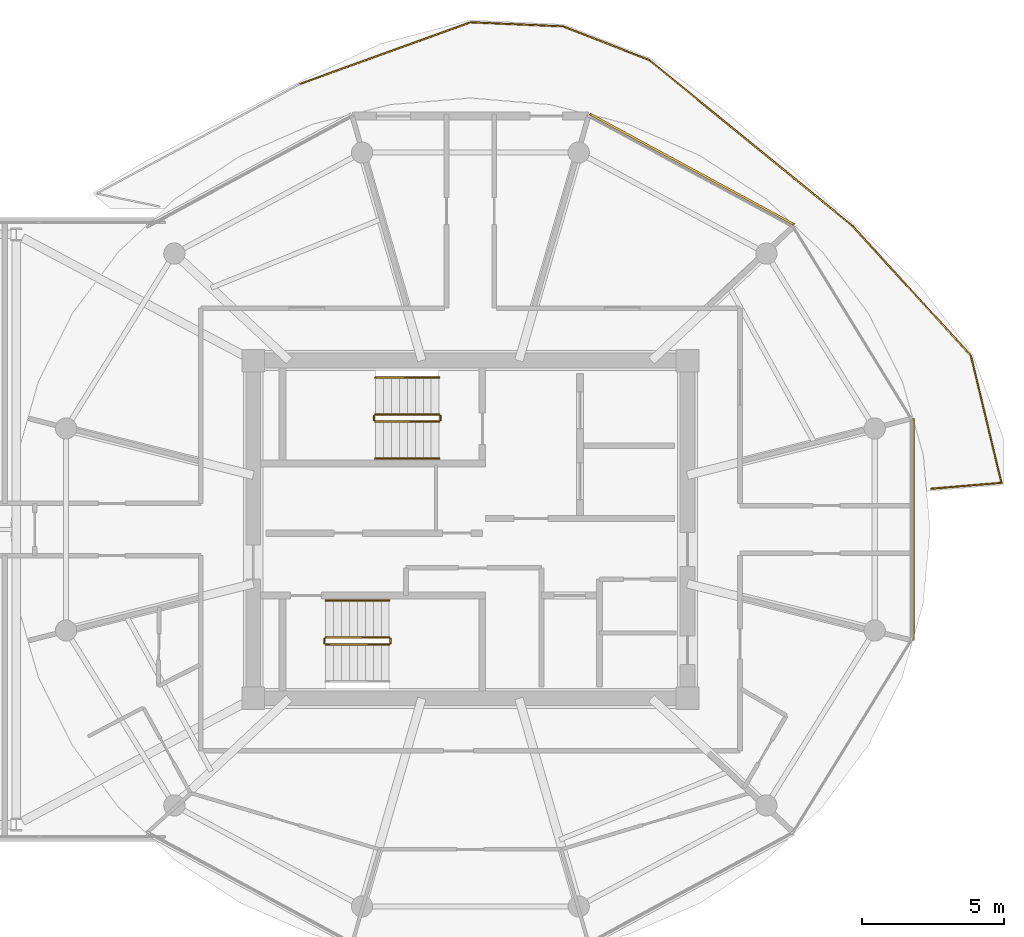
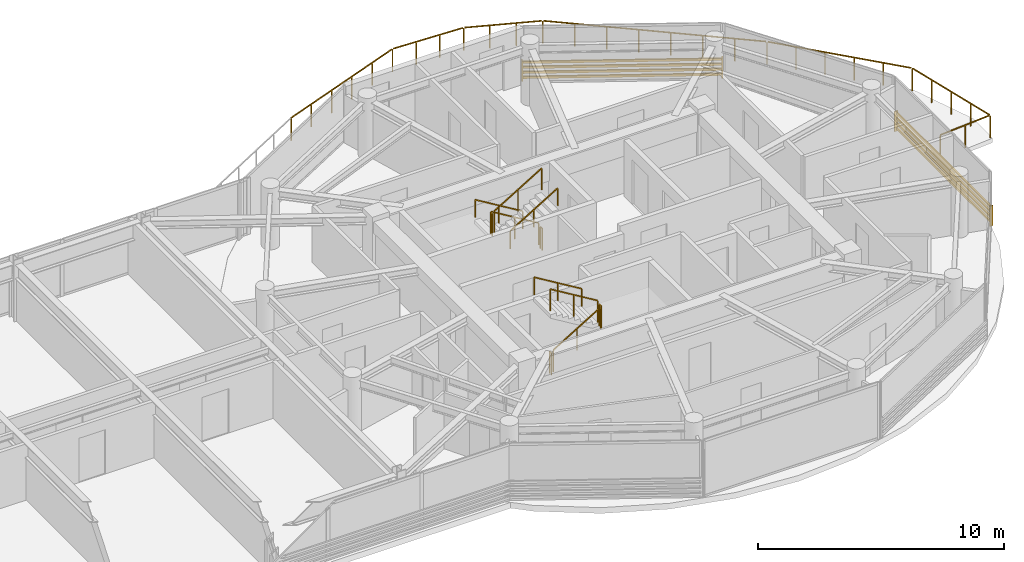
# One storey, part 23 of 23: 12 railings, 2 shading devices.
"""IFC4 building model written with IfcOpenShell, lengths in metres."""

from ifc_helpers import new_model, si_unit, direction, frame, origin, origin_2d, place, context, subcontext, project, spatial, rectangle, extrude, source, transform, mapped, material, type_object, type_shapes, element, save


model = new_model("IFC4")

# Units and contexts
model_context = context("Model", 3, precision=1e-05, world=origin(), true_north=direction((0.0, 1.0)))
body_context = subcontext(model_context, "Body", "Model", "MODEL_VIEW")
ifc_project = project(units=[si_unit("LENGTHUNIT", "METRE"), si_unit("AREAUNIT", "SQUARE_METRE"), si_unit("VOLUMEUNIT", "CUBIC_METRE"), si_unit("PLANEANGLEUNIT", "RADIAN"), si_unit("MASSUNIT", "GRAM", prefix="KILO")], contexts=[model_context])

# Site, building, storey
site_placement = place(None, origin())
site = spatial("IfcSite", under=ifc_project, at=site_placement, CompositionType="ELEMENT")
building_placement = place(site_placement, origin())
building = spatial("IfcBuilding", under=site, at=building_placement, Name="Norrkilde Senior Care Towers", CompositionType="ELEMENT")
storey_placement = place(building_placement, frame((0.0, 0.0, 229.14990234375)))
storey = spatial("IfcBuildingStorey", under=building, at=storey_placement, Name="L71", CompositionType="ELEMENT", Elevation=229.14990234375)

# Railings
ifc_material_1 = material(Name="Anodised Aluminium", Category="aluminium")
railing_type_1 = type_object("IfcRailingType", Name="Balcony Swirl Ribbon Guardrail 1150", PredefinedType="GUARDRAIL", material=ifc_material_1)
railing_1_placement = place(storey_placement, frame((21.98828125, 15.695068359375, 0.0)))
element("IfcRailing", 1, at=railing_1_placement, inside=storey, type_object=railing_type_1, Name="L71 Perimeter Safety Guard 01", PredefinedType="GUARDRAIL", context=body_context, shape_type="SweptSolid", body=[
    extrude(rectangle(XDim=0.048095703125, YDim=0.048095703125, at=origin_2d()), frame((0.0, 0.0, 1.1259765625), z_axis=(0.940427604186, 0.339994001838, 0.0), x_axis=(-0.339994001838, 0.940427604186, 0.0)), (0.0, 0.0, 1.0), 6.36083984375),
    extrude(rectangle(XDim=0.048095703125, YDim=0.048095703125, at=origin_2d()), frame((6.06103515625, 2.1748046875, 1.1259765625), z_axis=(0.999030270285, -0.044028616319, 0.0), x_axis=(0.044028616319, 0.999030270285, 0.0)), (0.0, 0.0, 1.0), 3.1787109375),
    extrude(rectangle(XDim=0.048095703125, YDim=0.048095703125, at=origin_2d()), frame((9.315673828125, 2.01806640625, 1.1259765625), z_axis=(0.931638308406, -0.363386931949, 0.0), x_axis=(0.363386931949, 0.931638308406, 0.0)), (0.0, 0.0, 1.0), 3.174072265625),
    extrude(rectangle(XDim=0.048095703125, YDim=0.048095703125, at=origin_2d()), frame((12.342529296875, 0.823974609375, 1.1259765625), z_axis=(0.774720335038, -0.63230404275, 0.0), x_axis=(0.63230404275, 0.774720335038, 0.0)), (0.0, 0.0, 1.0), 9.163330078125),
    extrude(rectangle(XDim=0.048095703125, YDim=0.048095703125, at=origin_2d()), frame((19.500732421875, -5.026123046875, 1.1259765625), z_axis=(0.673860835028, -0.738858291565, 0.0), x_axis=(0.738858291565, 0.673860835028, 0.0)), (0.0, 0.0, 1.0), 6.112060546875),
    extrude(rectangle(XDim=0.048095703125, YDim=0.048095703125, at=origin_2d()), frame((23.656494140625, -9.612060546875, 1.1259765625), z_axis=(0.233659569972, -0.972318469104, 0.0), x_axis=(0.972318469104, 0.233659569972, 0.0)), (0.0, 0.0, 1.0), 4.52490234375),
    extrude(rectangle(XDim=0.048095703125, YDim=0.048095703125, at=origin_2d()), frame((24.6826171875, -14.054931640625, 1.1259765625), z_axis=(-0.996532130282, -0.083208853588, 0.0), x_axis=(0.083208853588, -0.996532130282, 0.0)), (0.0, 0.0, 1.0), 2.4326171875),
    extrude(rectangle(XDim=0.0419921875, YDim=0.0419921875, at=origin_2d()), origin(), (0.0, 0.0, 1.0), 1.099853515625),
    extrude(rectangle(XDim=0.0419921875, YDim=0.0419921875, at=origin_2d()), frame((1.2041015625, 0.435302734375, 0.0)), (0.0, 0.0, 1.0), 1.099853515625),
    extrude(rectangle(XDim=0.0419921875, YDim=0.0419921875, at=origin_2d()), frame((2.408203125, 0.87060546875, 0.0)), (0.0, 0.0, 1.0), 1.099853515625),
    extrude(rectangle(XDim=0.0419921875, YDim=0.0419921875, at=origin_2d()), frame((3.612060546875, 1.305908203125, 0.0)), (0.0, 0.0, 1.0), 1.099853515625),
    extrude(rectangle(XDim=0.0419921875, YDim=0.0419921875, at=origin_2d()), frame((4.816162109375, 1.7412109375, 0.0)), (0.0, 0.0, 1.0), 1.099853515625),
    extrude(rectangle(XDim=0.0419921875, YDim=0.0419921875, at=origin_2d()), frame((6.020263671875, 2.176513671875, 0.0)), (0.0, 0.0, 1.0), 1.099853515625),
    extrude(rectangle(XDim=0.0419921875, YDim=0.0419921875, at=origin_2d()), frame((7.10595703125, 2.128662109375, 0.0)), (0.0, 0.0, 1.0), 1.099853515625),
    extrude(rectangle(XDim=0.0419921875, YDim=0.0419921875, at=origin_2d()), frame((8.19189453125, 2.080810546875, 0.0)), (0.0, 0.0, 1.0), 1.099853515625),
    extrude(rectangle(XDim=0.0419921875, YDim=0.0419921875, at=origin_2d()), frame((9.277587890625, 2.032958984375, 0.0)), (0.0, 0.0, 1.0), 1.099853515625),
    extrude(rectangle(XDim=0.0419921875, YDim=0.0419921875, at=origin_2d()), frame((10.28857421875, 1.638671875, 0.0)), (0.0, 0.0, 1.0), 1.099853515625),
    extrude(rectangle(XDim=0.0419921875, YDim=0.0419921875, at=origin_2d()), frame((11.2998046875, 1.244140625, 0.0)), (0.0, 0.0, 1.0), 1.099853515625),
    extrude(rectangle(XDim=0.0419921875, YDim=0.0419921875, at=origin_2d()), frame((12.310791015625, 0.849853515625, 0.0)), (0.0, 0.0, 1.0), 1.099853515625),
    extrude(rectangle(XDim=0.0419921875, YDim=0.0419921875, at=origin_2d()), frame((13.333984375, 0.0146484375, 0.0)), (0.0, 0.0, 1.0), 1.099853515625),
    extrude(rectangle(XDim=0.0419921875, YDim=0.0419921875, at=origin_2d()), frame((14.357177734375, -0.8203125, 0.0)), (0.0, 0.0, 1.0), 1.099853515625),
    extrude(rectangle(XDim=0.0419921875, YDim=0.0419921875, at=origin_2d()), frame((15.38037109375, -1.655517578125, 0.0)), (0.0, 0.0, 1.0), 1.099853515625),
    extrude(rectangle(XDim=0.0419921875, YDim=0.0419921875, at=origin_2d()), frame((16.403564453125, -2.490478515625, 0.0)), (0.0, 0.0, 1.0), 1.099853515625),
    extrude(rectangle(XDim=0.0419921875, YDim=0.0419921875, at=origin_2d()), frame((17.4267578125, -3.32568359375, 0.0)), (0.0, 0.0, 1.0), 1.099853515625),
    extrude(rectangle(XDim=0.0419921875, YDim=0.0419921875, at=origin_2d()), frame((18.449951171875, -4.16064453125, 0.0)), (0.0, 0.0, 1.0), 1.099853515625),
    extrude(rectangle(XDim=0.0419921875, YDim=0.0419921875, at=origin_2d()), frame((19.47314453125, -4.995849609375, 0.0)), (0.0, 0.0, 1.0), 1.099853515625),
    extrude(rectangle(XDim=0.0419921875, YDim=0.0419921875, at=origin_2d()), frame((20.307861328125, -5.9111328125, 0.0)), (0.0, 0.0, 1.0), 1.099853515625),
    extrude(rectangle(XDim=0.0419921875, YDim=0.0419921875, at=origin_2d()), frame((21.142578125, -6.826416015625, 0.0)), (0.0, 0.0, 1.0), 1.099853515625),
    extrude(rectangle(XDim=0.0419921875, YDim=0.0419921875, at=origin_2d()), frame((21.9775390625, -7.74169921875, 0.0)), (0.0, 0.0, 1.0), 1.099853515625),
    extrude(rectangle(XDim=0.0419921875, YDim=0.0419921875, at=origin_2d()), frame((22.812255859375, -8.656982421875, 0.0)), (0.0, 0.0, 1.0), 1.099853515625),
    extrude(rectangle(XDim=0.0419921875, YDim=0.0419921875, at=origin_2d()), frame((23.64697265625, -9.572265625, 0.0)), (0.0, 0.0, 1.0), 1.099853515625),
    extrude(rectangle(XDim=0.0419921875, YDim=0.0419921875, at=origin_2d()), frame((23.916015625, -10.692138671875, 0.0)), (0.0, 0.0, 1.0), 1.099853515625),
    extrude(rectangle(XDim=0.0419921875, YDim=0.0419921875, at=origin_2d()), frame((24.18505859375, -11.81201171875, 0.0)), (0.0, 0.0, 1.0), 1.099853515625),
    extrude(rectangle(XDim=0.0419921875, YDim=0.0419921875, at=origin_2d()), frame((24.454345703125, -12.931640625, 0.0)), (0.0, 0.0, 1.0), 1.099853515625),
    extrude(rectangle(XDim=0.0419921875, YDim=0.0419921875, at=origin_2d()), frame((24.723388671875, -14.051513671875, 0.0)), (0.0, 0.0, 1.0), 1.099853515625),
    extrude(rectangle(XDim=0.0419921875, YDim=0.0419921875, at=origin_2d()), frame((23.490966796875, -14.154296875, 0.0)), (0.0, 0.0, 1.0), 1.099853515625),
    extrude(rectangle(XDim=0.0419921875, YDim=0.0419921875, at=origin_2d()), frame((22.258544921875, -14.25732421875, 0.0)), (0.0, 0.0, 1.0), 1.099853515625),
])
ifc_material_2 = material(Name="Stainless Steel", Category="steel")
railing_type_2 = type_object("IfcRailingType", Name="Stair and Terrace Guardrail 1100", PredefinedType="GUARDRAIL", material=ifc_material_2)
railing_2_placement = place(storey_placement, frame((26.89990234375, 4.050048828125, 0.16943359375)))
element("IfcRailing", 2, at=railing_2_placement, inside=storey, type_object=railing_type_2, Name="L71 ST-E1 stair guard 1", PredefinedType="GUARDRAIL", context=body_context, shape_type="SweptSolid", body=[
    extrude(rectangle(XDim=0.048095703125, YDim=0.048095703125, at=origin_2d()), frame((0.0, 0.0, 1.076171875), z_axis=(-0.855512035549, 0.0, 0.517782924622), x_axis=(0.0, -1.0, 0.0)), (0.0, 0.0, 1.0), 2.618408203125),
    extrude(rectangle(XDim=0.0419921875, YDim=0.0419921875, at=origin_2d()), origin(), (0.0, 0.0, 1.0), 1.050048828125),
    extrude(rectangle(XDim=0.0419921875, YDim=0.0419921875, at=origin_2d()), frame((-1.1201171875, 0.0, 0.677734375)), (0.0, 0.0, 1.0), 1.050048828125),
    extrude(rectangle(XDim=0.0419921875, YDim=0.0419921875, at=origin_2d()), frame((-2.239990234375, 0.0, 1.355712890625)), (0.0, 0.0, 1.0), 1.050048828125),
])
railing_3_placement = place(storey_placement, frame((24.610107421875, 4.0, 1.525146484375)))
element("IfcRailing", 3, at=railing_3_placement, inside=storey, type_object=railing_type_2, Name="L71 ST-E1 stair guard 2", PredefinedType="GUARDRAIL", context=body_context, shape_type="SweptSolid", body=[
    extrude(rectangle(XDim=0.048095703125, YDim=0.048095703125, at=origin_2d()), frame((0.0, 0.0, 1.076171875), z_axis=(0.0, -1.0, 0.0), x_axis=(1.0, 0.0, 0.0)), (0.0, 0.0, 1.0), 0.14990234375),
    extrude(rectangle(XDim=0.0419921875, YDim=0.0419921875, at=origin_2d()), origin(), (0.0, 0.0, 1.0), 1.050048828125),
    extrude(rectangle(XDim=0.0419921875, YDim=0.0419921875, at=origin_2d()), frame((0.0, -0.14990234375, 0.0)), (0.0, 0.0, 1.0), 1.050048828125),
])
railing_4_placement = place(storey_placement, frame((24.659912109375, 3.800048828125, 1.694580078125)))
element("IfcRailing", 4, at=railing_4_placement, inside=storey, type_object=railing_type_2, Name="L71 ST-E1 stair guard 3", PredefinedType="GUARDRAIL", context=body_context, shape_type="SweptSolid", body=[
    extrude(rectangle(XDim=0.048095703125, YDim=0.048095703125, at=origin_2d()), frame((0.0, 0.0, 1.076171875), z_axis=(0.855553338991, 0.0, 0.51771467445), x_axis=(0.0, 1.0, 0.0)), (0.0, 0.0, 1.0), 2.6181640625),
    extrude(rectangle(XDim=0.0419921875, YDim=0.0419921875, at=origin_2d()), origin(), (0.0, 0.0, 1.0), 1.050048828125),
    extrude(rectangle(XDim=0.0419921875, YDim=0.0419921875, at=origin_2d()), frame((1.1201171875, 0.0, 0.677734375)), (0.0, 0.0, 1.0), 1.050048828125),
    extrude(rectangle(XDim=0.0419921875, YDim=0.0419921875, at=origin_2d()), frame((2.239990234375, 0.0, 1.35546875)), (0.0, 0.0, 1.0), 1.050048828125),
])
railing_5_placement = place(storey_placement, frame((26.949951171875, 4.0, 0.0)))
element("IfcRailing", 5, at=railing_5_placement, inside=storey, type_object=railing_type_2, Name="L71 ST-E1 stair guard 4", PredefinedType="GUARDRAIL", context=body_context, shape_type="SweptSolid", body=[
    extrude(rectangle(XDim=0.048095703125, YDim=0.048095703125, at=origin_2d()), frame((0.0, 0.0, 1.076171875), z_axis=(0.0, -1.0, 0.0), x_axis=(1.0, 0.0, 0.0)), (0.0, 0.0, 1.0), 0.14990234375),
    extrude(rectangle(XDim=0.0419921875, YDim=0.0419921875, at=origin_2d()), origin(), (0.0, 0.0, 1.0), 1.050048828125),
    extrude(rectangle(XDim=0.0419921875, YDim=0.0419921875, at=origin_2d()), frame((0.0, -0.14990234375, 0.0)), (0.0, 0.0, 1.0), 1.050048828125),
])
railing_6_placement = place(storey_placement, frame((22.89990234375, -4.050048828125, 0.16943359375)))
element("IfcRailing", 6, at=railing_6_placement, inside=storey, type_object=railing_type_2, Name="L71 ST-E2 stair guard 1", PredefinedType="GUARDRAIL", context=body_context, shape_type="SweptSolid", body=[
    extrude(rectangle(XDim=0.048095703125, YDim=0.048095703125, at=origin_2d()), frame((0.0, 0.0, 1.076171875), z_axis=(0.855512035549, 0.0, 0.517782924622), x_axis=(0.0, 1.0, 0.0)), (0.0, 0.0, 1.0), 2.618408203125),
    extrude(rectangle(XDim=0.0419921875, YDim=0.0419921875, at=origin_2d()), origin(), (0.0, 0.0, 1.0), 1.050048828125),
    extrude(rectangle(XDim=0.0419921875, YDim=0.0419921875, at=origin_2d()), frame((1.1201171875, 0.0, 0.677734375)), (0.0, 0.0, 1.0), 1.050048828125),
    extrude(rectangle(XDim=0.0419921875, YDim=0.0419921875, at=origin_2d()), frame((2.239990234375, 0.0, 1.355712890625)), (0.0, 0.0, 1.0), 1.050048828125),
])
railing_7_placement = place(storey_placement, frame((25.18994140625, -4.0, 1.525146484375)))
element("IfcRailing", 7, at=railing_7_placement, inside=storey, type_object=railing_type_2, Name="L71 ST-E2 stair guard 2", PredefinedType="GUARDRAIL", context=body_context, shape_type="SweptSolid", body=[
    extrude(rectangle(XDim=0.048095703125, YDim=0.048095703125, at=origin_2d()), frame((0.0, 0.0, 1.076171875), z_axis=(0.0, 1.0, 0.0), x_axis=(-1.0, 0.0, 0.0)), (0.0, 0.0, 1.0), 0.14990234375),
    extrude(rectangle(XDim=0.0419921875, YDim=0.0419921875, at=origin_2d()), origin(), (0.0, 0.0, 1.0), 1.050048828125),
    extrude(rectangle(XDim=0.0419921875, YDim=0.0419921875, at=origin_2d()), frame((0.0, 0.14990234375, 0.0)), (0.0, 0.0, 1.0), 1.050048828125),
])
railing_8_placement = place(storey_placement, frame((25.139892578125, -3.800048828125, 1.694580078125)))
element("IfcRailing", 8, at=railing_8_placement, inside=storey, type_object=railing_type_2, Name="L71 ST-E2 stair guard 3", PredefinedType="GUARDRAIL", context=body_context, shape_type="SweptSolid", body=[
    extrude(rectangle(XDim=0.048095703125, YDim=0.048095703125, at=origin_2d()), frame((0.0, 0.0, 1.076171875), z_axis=(-0.855553338991, 0.0, 0.51771467445), x_axis=(0.0, -1.0, 0.0)), (0.0, 0.0, 1.0), 2.6181640625),
    extrude(rectangle(XDim=0.0419921875, YDim=0.0419921875, at=origin_2d()), origin(), (0.0, 0.0, 1.0), 1.050048828125),
    extrude(rectangle(XDim=0.0419921875, YDim=0.0419921875, at=origin_2d()), frame((-1.1201171875, 0.0, 0.677734375)), (0.0, 0.0, 1.0), 1.050048828125),
    extrude(rectangle(XDim=0.0419921875, YDim=0.0419921875, at=origin_2d()), frame((-2.239990234375, 0.0, 1.35546875)), (0.0, 0.0, 1.0), 1.050048828125),
])
railing_9_placement = place(storey_placement, frame((22.85009765625, -4.0, 0.0)))
element("IfcRailing", 9, at=railing_9_placement, inside=storey, type_object=railing_type_2, Name="L71 ST-E2 stair guard 4", PredefinedType="GUARDRAIL", context=body_context, shape_type="SweptSolid", body=[
    extrude(rectangle(XDim=0.048095703125, YDim=0.048095703125, at=origin_2d()), frame((0.0, 0.0, 1.076171875), z_axis=(0.0, 1.0, 0.0), x_axis=(-1.0, 0.0, 0.0)), (0.0, 0.0, 1.0), 0.14990234375),
    extrude(rectangle(XDim=0.0419921875, YDim=0.0419921875, at=origin_2d()), origin(), (0.0, 0.0, 1.0), 1.050048828125),
    extrude(rectangle(XDim=0.0419921875, YDim=0.0419921875, at=origin_2d()), frame((0.0, 0.14990234375, 0.0)), (0.0, 0.0, 1.0), 1.050048828125),
])
ifc_material_3 = material(Name="Nordic Ash Timber", Category="wood")
railing_type_3 = type_object("IfcRailingType", Name="Wall and Stair Handrail 900", PredefinedType="HANDRAIL", material=ifc_material_3)
railing_10_placement = place(storey_placement, frame((26.89990234375, 5.35009765625, 0.16943359375)))
element("IfcRailing", 10, at=railing_10_placement, inside=storey, type_object=railing_type_3, Name="L71 ST-E1 stair handrail 1", PredefinedType="HANDRAIL", context=body_context, shape_type="SweptSolid", body=[
    extrude(rectangle(XDim=0.048095703125, YDim=0.048095703125, at=origin_2d()), frame((0.0, 0.0, 0.8759765625), z_axis=(-0.855512035549, 0.0, 0.517782924622), x_axis=(0.0, -1.0, 0.0)), (0.0, 0.0, 1.0), 2.618408203125),
    extrude(rectangle(XDim=0.0419921875, YDim=0.0419921875, at=origin_2d()), origin(), (0.0, 0.0, 1.0), 0.849853515625),
    extrude(rectangle(XDim=0.0419921875, YDim=0.0419921875, at=origin_2d()), frame((-1.1201171875, 0.0, 0.677734375)), (0.0, 0.0, 1.0), 0.849853515625),
    extrude(rectangle(XDim=0.0419921875, YDim=0.0419921875, at=origin_2d()), frame((-2.239990234375, 0.0, 1.355712890625)), (0.0, 0.0, 1.0), 0.849853515625),
])
railing_11_placement = place(storey_placement, frame((24.659912109375, 2.5, 1.694580078125)))
element("IfcRailing", 11, at=railing_11_placement, inside=storey, type_object=railing_type_3, Name="L71 ST-E1 stair handrail 2", PredefinedType="HANDRAIL", context=body_context, shape_type="SweptSolid", body=[
    extrude(rectangle(XDim=0.048095703125, YDim=0.048095703125, at=origin_2d()), frame((0.0, 0.0, 0.8759765625), z_axis=(0.855553338991, 0.0, 0.51771467445), x_axis=(0.0, 1.0, 0.0)), (0.0, 0.0, 1.0), 2.6181640625),
    extrude(rectangle(XDim=0.0419921875, YDim=0.0419921875, at=origin_2d()), origin(), (0.0, 0.0, 1.0), 0.849853515625),
    extrude(rectangle(XDim=0.0419921875, YDim=0.0419921875, at=origin_2d()), frame((1.1201171875, 0.0, 0.677734375)), (0.0, 0.0, 1.0), 0.849853515625),
    extrude(rectangle(XDim=0.0419921875, YDim=0.0419921875, at=origin_2d()), frame((2.239990234375, 0.0, 1.35546875)), (0.0, 0.0, 1.0), 0.849853515625),
])
railing_12_placement = place(storey_placement, frame((25.139892578125, -2.5, 1.694580078125)))
element("IfcRailing", 12, at=railing_12_placement, inside=storey, type_object=railing_type_3, Name="L71 ST-E2 stair handrail 2", PredefinedType="HANDRAIL", context=body_context, shape_type="SweptSolid", body=[
    extrude(rectangle(XDim=0.048095703125, YDim=0.048095703125, at=origin_2d()), frame((0.0, 0.0, 0.8759765625), z_axis=(-0.855553338991, 0.0, 0.51771467445), x_axis=(0.0, -1.0, 0.0)), (0.0, 0.0, 1.0), 2.6181640625),
    extrude(rectangle(XDim=0.0419921875, YDim=0.0419921875, at=origin_2d()), origin(), (0.0, 0.0, 1.0), 0.849853515625),
    extrude(rectangle(XDim=0.0419921875, YDim=0.0419921875, at=origin_2d()), frame((-1.1201171875, 0.0, 0.677734375)), (0.0, 0.0, 1.0), 0.849853515625),
    extrude(rectangle(XDim=0.0419921875, YDim=0.0419921875, at=origin_2d()), frame((-2.239990234375, 0.0, 1.35546875)), (0.0, 0.0, 1.0), 0.849853515625),
])

# Shading devices
ifc_material_4 = material(Name="Architectural Terracotta", Category="masonry")
shading_device_type = type_object("IfcShadingDeviceType", Name="Horizontal Terracotta Baguette Rack", PredefinedType="USERDEFINED", material=ifc_material_4)
shared_shape_1 = source(origin(), body_context, "Body", "SweptSolid", [
    extrude(rectangle(XDim=0.070068359375, YDim=0.110107421875, at=origin_2d()), frame((0.0, 0.090087890625, 0.125), z_axis=(1.0, 0.0, 0.0), x_axis=(0.0, 1.0, 0.0)), (0.0, 0.0, 1.0), 8.197265625),
    extrude(rectangle(XDim=0.070068359375, YDim=0.110107421875, at=origin_2d()), frame((0.0, 0.090087890625, 0.375), z_axis=(1.0, 0.0, 0.0), x_axis=(0.0, 1.0, 0.0)), (0.0, 0.0, 1.0), 8.197265625),
    extrude(rectangle(XDim=0.070068359375, YDim=0.110107421875, at=origin_2d()), frame((0.0, 0.090087890625, 0.625), z_axis=(1.0, 0.0, 0.0), x_axis=(0.0, 1.0, 0.0)), (0.0, 0.0, 1.0), 8.197265625),
    extrude(rectangle(XDim=0.070068359375, YDim=0.110107421875, at=origin_2d()), frame((0.0, 0.090087890625, 0.875), z_axis=(1.0, 0.0, 0.0), x_axis=(0.0, 1.0, 0.0)), (0.0, 0.0, 1.0), 8.197265625),
    extrude(rectangle(XDim=0.050048828125, YDim=0.1552734375, at=origin_2d()), frame((0.02490234375, 0.047607421875, 0.0)), (0.0, 0.0, 1.0), 1.0),
    extrude(rectangle(XDim=0.050048828125, YDim=0.1552734375, at=origin_2d()), frame((8.17236328125, 0.047607421875, 0.0)), (0.0, 0.0, 1.0), 1.0),
])
shading_device_1_placement = place(storey_placement, frame((32.161865234375, 14.566162109375, 0.080078125), z_axis=(0.0, 0.0, 1.0), x_axis=(0.879378127234, -0.476143674053, 0.0)))
element("IfcShadingDevice", 13, at=shading_device_1_placement, inside=storey, type_object=shading_device_type, Name="L71 Drum E Terracotta Baguette Screen 01", ObjectType="BAGUETTE", PredefinedType="USERDEFINED", context=body_context, shape_type="MappedRepresentation", body=[
    mapped(shared_shape_1, transform((0.0, 0.0, 0.0), x_axis=(1.0, 0.0, 0.0), y_axis=(0.0, 1.0, 0.0), z_axis=(0.0, 0.0, 1.0), scale=1.0)),
])
shared_shape_2 = source(origin(), body_context, "Body", "SweptSolid", [
    extrude(rectangle(XDim=0.070068359375, YDim=0.110107421875, at=origin_2d()), frame((0.0, 0.090087890625, 0.125), z_axis=(1.0, 0.0, 0.0), x_axis=(0.0, 1.0, 0.0)), (0.0, 0.0, 1.0), 7.80615234375),
    extrude(rectangle(XDim=0.070068359375, YDim=0.110107421875, at=origin_2d()), frame((0.0, 0.090087890625, 0.375), z_axis=(1.0, 0.0, 0.0), x_axis=(0.0, 1.0, 0.0)), (0.0, 0.0, 1.0), 7.80615234375),
    extrude(rectangle(XDim=0.070068359375, YDim=0.110107421875, at=origin_2d()), frame((0.0, 0.090087890625, 0.625), z_axis=(1.0, 0.0, 0.0), x_axis=(0.0, 1.0, 0.0)), (0.0, 0.0, 1.0), 7.80615234375),
    extrude(rectangle(XDim=0.070068359375, YDim=0.110107421875, at=origin_2d()), frame((0.0, 0.090087890625, 0.875), z_axis=(1.0, 0.0, 0.0), x_axis=(0.0, 1.0, 0.0)), (0.0, 0.0, 1.0), 7.80615234375),
    extrude(rectangle(XDim=0.050048828125, YDim=0.1552734375, at=origin_2d()), frame((0.02490234375, 0.047607421875, 0.0)), (0.0, 0.0, 1.0), 1.0),
    extrude(rectangle(XDim=0.050048828125, YDim=0.1552734375, at=origin_2d()), frame((7.78125, 0.047607421875, 0.0)), (0.0, 0.0, 1.0), 1.0),
])
type_shapes(shading_device_type, [shared_shape_1, shared_shape_2])
shading_device_2_placement = place(storey_placement, frame((43.531982421875, 3.903076171875, 0.080078125), z_axis=(0.0, 0.0, 1.0), x_axis=(0.0, -1.0, 0.0)))
element("IfcShadingDevice", 14, at=shading_device_2_placement, inside=storey, type_object=shading_device_type, Name="L71 Drum E Terracotta Baguette Screen 11", ObjectType="BAGUETTE", PredefinedType="USERDEFINED", context=body_context, shape_type="MappedRepresentation", body=[
    mapped(shared_shape_2, transform((0.0, 0.0, 0.0), x_axis=(1.0, 0.0, 0.0), y_axis=(0.0, 1.0, 0.0), z_axis=(0.0, 0.0, 1.0), scale=1.0)),
])

save(model, "model.ifc")
